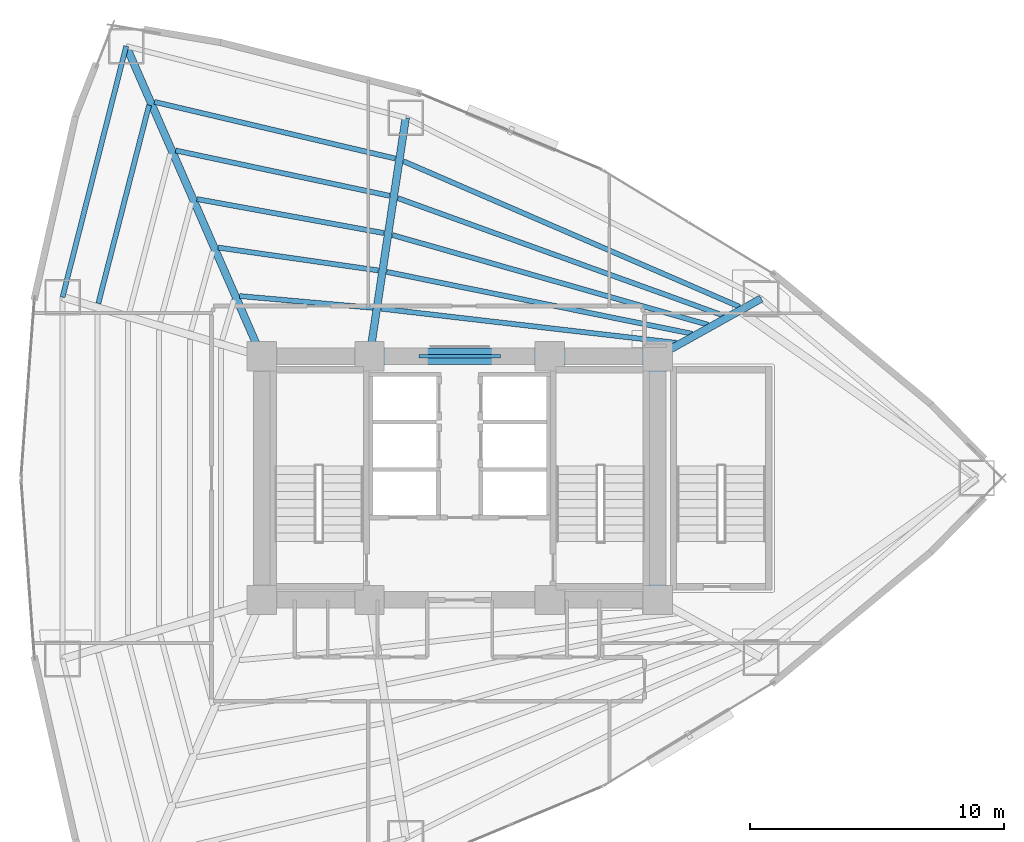
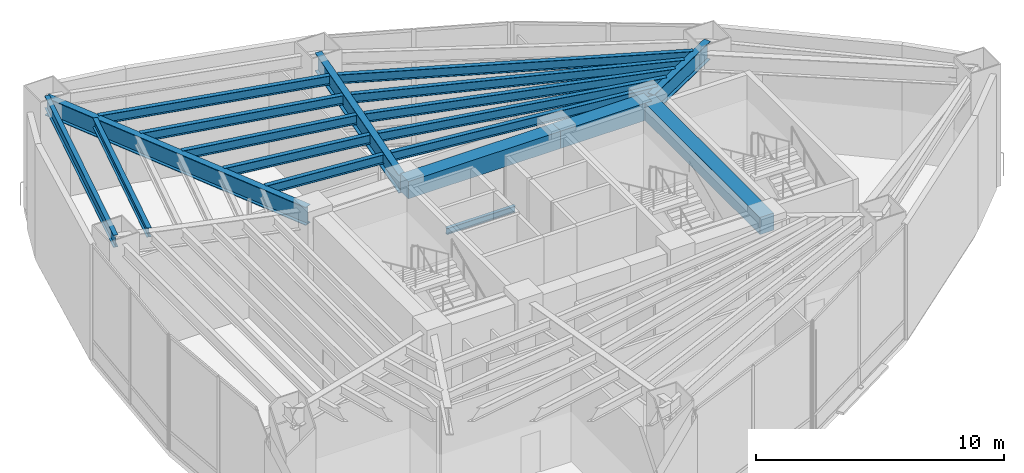
# One storey, part 9 of 19: 19 beams.
"""IFC4 building model written with IfcOpenShell, lengths in metres."""

from ifc_helpers import new_model, si_unit, direction, frame, origin, origin_2d, place, context, subcontext, project, spatial, rectangle, i_section, extrude, material, material_profile, profile_set, type_object, element, save


model = new_model("IFC4")

# Units and contexts
model_context = context("Model", 3, precision=1e-05, world=origin(), true_north=direction((0.0, 1.0)))
body_context = subcontext(model_context, "Body", "Model", "MODEL_VIEW")
ifc_project = project(units=[si_unit("LENGTHUNIT", "METRE"), si_unit("AREAUNIT", "SQUARE_METRE"), si_unit("VOLUMEUNIT", "CUBIC_METRE"), si_unit("PLANEANGLEUNIT", "RADIAN"), si_unit("MASSUNIT", "GRAM", prefix="KILO")], contexts=[model_context])

# Site, building, storey
site_placement = place(None, origin())
site = spatial("IfcSite", under=ifc_project, at=site_placement, CompositionType="ELEMENT")
building_placement = place(site_placement, origin())
building = spatial("IfcBuilding", under=site, at=building_placement, Name="Menara Vayukalpa", CompositionType="ELEMENT")
storey_placement = place(building_placement, frame((0.0, 0.0, 12.0)))
storey = spatial("IfcBuildingStorey", under=building, at=storey_placement, Name="L02", CompositionType="ELEMENT", Elevation=12.0)

# Beams
ifc_material_1 = material(Name="Concrete C60/75", Category="concrete")
ifc_material_profile_1 = material_profile(ifc_material_1, rectangle(XDim=0.64990234375, YDim=0.85009765625, at=origin_2d()), Name="RC 650x850")
ifc_profile_set_1 = profile_set([ifc_material_profile_1], Name="Concrete C60/75")
beam_type_1 = type_object("IfcBeamType", Name="BM-CB1", PredefinedType="BEAM", material=ifc_profile_set_1)
beam_1_placement = place(storey_placement, frame((22.050048828125, 26.800048828125, 5.2548828125), z_axis=(1.0, 0.0, 0.0), x_axis=(0.0, 1.0, 0.0)))
element("IfcBeam", 1, at=beam_1_placement, inside=storey, type_object=beam_type_1, Name="L02 Core Tie Beam CBR5", PredefinedType="BEAM", context=body_context, shape_type="SweptSolid", body=[
    extrude(rectangle(XDim=0.64990234375, YDim=0.85009765625, at=origin_2d()), origin(), (0.0, 0.0, 1.0), 7.099853515625),
])
beam_2_placement = place(storey_placement, frame((29.14990234375, 26.800048828125, 5.2548828125), z_axis=(1.0, 0.0, 0.0), x_axis=(0.0, 1.0, 0.0)))
element("IfcBeam", 2, at=beam_2_placement, inside=storey, type_object=beam_type_1, Name="L02 Core Tie Beam CBR6", PredefinedType="BEAM", context=body_context, shape_type="SweptSolid", body=[
    extrude(rectangle(XDim=0.64990234375, YDim=0.85009765625, at=origin_2d()), origin(), (0.0, 0.0, 1.0), 4.25),
])
beam_3_placement = place(storey_placement, frame((33.39990234375, 17.199951171875, 5.2548828125), z_axis=(0.0, 1.0, 0.0), x_axis=(-1.0, 0.0, 0.0)))
element("IfcBeam", 3, at=beam_3_placement, inside=storey, type_object=beam_type_1, Name="L02 Core Tie Beam CBR8", PredefinedType="BEAM", context=body_context, shape_type="SweptSolid", body=[
    extrude(rectangle(XDim=0.64990234375, YDim=0.85009765625, at=origin_2d()), origin(), (0.0, 0.0, 1.0), 9.60009765625),
])
ifc_material_2 = material(Name="Steel S355", Category="steel")
ifc_material_profile_2 = material_profile(ifc_material_2, i_section(OverallWidth=0.14990234375, OverallDepth=0.300048828125, WebThickness=0.006591796875, FlangeThickness=0.009033203125, at=origin_2d()), Name="WF 300x150x6.5x9")
ifc_profile_set_2 = profile_set([ifc_material_profile_2], Name="Steel S355")
beam_type_2 = type_object("IfcBeamType", Name="BM-LN1", PredefinedType="LINTEL", material=ifc_profile_set_2)
beam_4_placement = place(storey_placement, frame((24.0, 26.800048828125, 2.3798828125), z_axis=(1.0, 0.0, 0.0), x_axis=(0.0, 1.0, 0.0)))
element("IfcBeam", 4, at=beam_4_placement, inside=storey, type_object=beam_type_2, Name="L02 North Core Steel Lintel LN1", PredefinedType="LINTEL", context=body_context, shape_type="SweptSolid", body=[
    extrude(i_section(OverallWidth=0.14990234375, OverallDepth=0.300048828125, WebThickness=0.006591796875, FlangeThickness=0.009033203125, at=origin_2d()), origin(), (0.0, 0.0, 1.0), 3.199951171875),
])
ifc_material_3 = material(Name="Steel S355", Category="steel")
ifc_material_profile_3 = material_profile(ifc_material_3, i_section(OverallWidth=0.300048828125, OverallDepth=0.89990234375, WebThickness=0.01611328125, FlangeThickness=0.028076171875, at=origin_2d()), Name="WF 900x300x16x28")
ifc_profile_set_3 = profile_set([ifc_material_profile_3], Name="Steel S355")
beam_type_3 = type_object("IfcBeamType", Name="BM-PG1", PredefinedType="BEAM", material=ifc_profile_set_3)
beam_5_placement = place(storey_placement, frame((33.618408203125, 26.921630859375, 5.22998046875), z_axis=(0.873472891879, 0.486872783335, 0.0), x_axis=(-0.486872783335, 0.873472891879, 0.0)))
element("IfcBeam", 5, at=beam_5_placement, inside=storey, type_object=beam_type_3, Name="L02 Primary Radial Girder RG02", PredefinedType="BEAM", context=body_context, shape_type="SweptSolid", body=[
    extrude(i_section(OverallWidth=0.300048828125, OverallDepth=0.89990234375, WebThickness=0.01611328125, FlangeThickness=0.028076171875, at=origin_2d()), origin(), (0.0, 0.0, 1.0), 4.414306640625),
])
beam_6_placement = place(storey_placement, frame((22.08740234375, 27.047119140625, 5.22998046875), z_axis=(0.149956157605, 0.988692647285, 0.0), x_axis=(-0.988692647285, 0.149956157605, 0.0)))
element("IfcBeam", 6, at=beam_6_placement, inside=storey, type_object=beam_type_3, Name="L02 Primary Radial Girder RG03", PredefinedType="BEAM", context=body_context, shape_type="SweptSolid", body=[
    extrude(i_section(OverallWidth=0.300048828125, OverallDepth=0.89990234375, WebThickness=0.01611328125, FlangeThickness=0.028076171875, at=origin_2d()), origin(), (0.0, 0.0, 1.0), 9.25732421875),
])
beam_7_placement = place(storey_placement, frame((17.699951171875, 27.029052734375, 5.22998046875), z_axis=(-0.400426299501, 0.916328968585, 0.0), x_axis=(-0.916328968585, -0.400426299501, 0.0)))
element("IfcBeam", 7, at=beam_7_placement, inside=storey, type_object=beam_type_3, Name="L02 Primary Radial Girder RG04", PredefinedType="BEAM", context=body_context, shape_type="SweptSolid", body=[
    extrude(i_section(OverallWidth=0.300048828125, OverallDepth=0.89990234375, WebThickness=0.01611328125, FlangeThickness=0.028076171875, at=origin_2d()), origin(), (0.0, 0.0, 1.0), 13.084716796875),
])
ifc_material_4 = material(Name="Steel S355", Category="steel")
ifc_material_profile_4 = material_profile(ifc_material_4, i_section(OverallWidth=0.199951171875, OverallDepth=0.449951171875, WebThickness=0.009033203125, FlangeThickness=0.013916015625, at=origin_2d()), Name="WF 450x200x9x14")
ifc_profile_set_4 = profile_set([ifc_material_profile_4], Name="Steel S355")
beam_type_4 = type_object("IfcBeamType", Name="BM-SJ1", PredefinedType="JOIST", material=ifc_profile_set_4)
beam_8_placement = place(storey_placement, frame((34.1435546875, 27.328125, 5.455078125), z_axis=(-0.993368624996, 0.114972931045, 0.0), x_axis=(-0.114972931045, -0.993368624996, 0.0)))
element("IfcBeam", 8, at=beam_8_placement, inside=storey, type_object=beam_type_4, Name="L02 Secondary Floor Joist SJ02-1", PredefinedType="JOIST", context=body_context, shape_type="SweptSolid", body=[
    extrude(i_section(OverallWidth=0.199951171875, OverallDepth=0.449951171875, WebThickness=0.009033203125, FlangeThickness=0.013916015625, at=origin_2d()), origin(), (0.0, 0.0, 1.0), 11.715087890625),
])
beam_9_placement = place(storey_placement, frame((34.7626953125, 27.686279296875, 5.455078125), z_axis=(-0.980082096832, 0.198592757847, 0.0), x_axis=(-0.198592757847, -0.980082096832, 0.0)))
element("IfcBeam", 9, at=beam_9_placement, inside=storey, type_object=beam_type_4, Name="L02 Secondary Floor Joist SJ02-2", PredefinedType="JOIST", context=body_context, shape_type="SweptSolid", body=[
    extrude(i_section(OverallWidth=0.199951171875, OverallDepth=0.449951171875, WebThickness=0.009033203125, FlangeThickness=0.013916015625, at=origin_2d()), origin(), (0.0, 0.0, 1.0), 12.28125),
])
beam_10_placement = place(storey_placement, frame((35.3828125, 28.042724609375, 5.455078125), z_axis=(-0.961920522013, 0.273329305656, 0.0), x_axis=(-0.273329305656, -0.961920522013, 0.0)))
element("IfcBeam", 10, at=beam_10_placement, inside=storey, type_object=beam_type_4, Name="L02 Secondary Floor Joist SJ02-3", PredefinedType="JOIST", context=body_context, shape_type="SweptSolid", body=[
    extrude(i_section(OverallWidth=0.199951171875, OverallDepth=0.449951171875, WebThickness=0.009033203125, FlangeThickness=0.013916015625, at=origin_2d()), origin(), (0.0, 0.0, 1.0), 12.93017578125),
])
beam_11_placement = place(storey_placement, frame((36.003173828125, 28.39794921875, 5.455078125), z_axis=(-0.94065210614, 0.339372384284, 0.0), x_axis=(-0.339372384284, -0.94065210614, 0.0)))
element("IfcBeam", 11, at=beam_11_placement, inside=storey, type_object=beam_type_4, Name="L02 Secondary Floor Joist SJ02-4", PredefinedType="JOIST", context=body_context, shape_type="SweptSolid", body=[
    extrude(i_section(OverallWidth=0.199951171875, OverallDepth=0.449951171875, WebThickness=0.009033203125, FlangeThickness=0.013916015625, at=origin_2d()), origin(), (0.0, 0.0, 1.0), 13.649658203125),
])
beam_12_placement = place(storey_placement, frame((36.6240234375, 28.751708984375, 5.455078125), z_axis=(-0.91768786967, 0.397302119125, 0.0), x_axis=(-0.397302119125, -0.91768786967, 0.0)))
element("IfcBeam", 12, at=beam_12_placement, inside=storey, type_object=beam_type_4, Name="L02 Secondary Floor Joist SJ02-5", PredefinedType="JOIST", context=body_context, shape_type="SweptSolid", body=[
    extrude(i_section(OverallWidth=0.199951171875, OverallDepth=0.449951171875, WebThickness=0.009033203125, FlangeThickness=0.013916015625, at=origin_2d()), origin(), (0.0, 0.0, 1.0), 14.43017578125),
])
beam_13_placement = place(storey_placement, frame((22.16796875, 28.709716796875, 5.455078125), z_axis=(-0.996127818773, 0.08791682812, 0.0), x_axis=(-0.08791682812, -0.996127818773, 0.0)))
element("IfcBeam", 13, at=beam_13_placement, inside=storey, type_object=beam_type_4, Name="L02 Secondary Floor Joist SJ03-1", PredefinedType="JOIST", context=body_context, shape_type="SweptSolid", body=[
    extrude(i_section(OverallWidth=0.199951171875, OverallDepth=0.449951171875, WebThickness=0.009033203125, FlangeThickness=0.013916015625, at=origin_2d()), origin(), (0.0, 0.0, 1.0), 5.26220703125),
])
beam_14_placement = place(storey_placement, frame((22.39111328125, 30.18310546875, 5.455078125), z_axis=(-0.989991622628, 0.141126139063, 0.0), x_axis=(-0.141126139063, -0.989991622628, 0.0)))
element("IfcBeam", 14, at=beam_14_placement, inside=storey, type_object=beam_type_4, Name="L02 Secondary Floor Joist SJ03-2", PredefinedType="JOIST", context=body_context, shape_type="SweptSolid", body=[
    extrude(i_section(OverallWidth=0.199951171875, OverallDepth=0.449951171875, WebThickness=0.009033203125, FlangeThickness=0.013916015625, at=origin_2d()), origin(), (0.0, 0.0, 1.0), 6.367919921875),
])
beam_15_placement = place(storey_placement, frame((22.6142578125, 31.65380859375, 5.455078125), z_axis=(-0.98386051846, 0.178937084517, 0.0), x_axis=(-0.178937084517, -0.98386051846, 0.0)))
element("IfcBeam", 15, at=beam_15_placement, inside=storey, type_object=beam_type_4, Name="L02 Secondary Floor Joist SJ03-3", PredefinedType="JOIST", context=body_context, shape_type="SweptSolid", body=[
    extrude(i_section(OverallWidth=0.199951171875, OverallDepth=0.449951171875, WebThickness=0.009033203125, FlangeThickness=0.013916015625, at=origin_2d()), origin(), (0.0, 0.0, 1.0), 7.48779296875),
])
beam_16_placement = place(storey_placement, frame((22.83740234375, 33.123046875, 5.455078125), z_axis=(-0.978324318859, 0.207078553039, 0.0), x_axis=(-0.207078553039, -0.978324318859, 0.0)))
element("IfcBeam", 16, at=beam_16_placement, inside=storey, type_object=beam_type_4, Name="L02 Secondary Floor Joist SJ03-4", PredefinedType="JOIST", context=body_context, shape_type="SweptSolid", body=[
    extrude(i_section(OverallWidth=0.199951171875, OverallDepth=0.449951171875, WebThickness=0.009033203125, FlangeThickness=0.013916015625, at=origin_2d()), origin(), (0.0, 0.0, 1.0), 8.615966796875),
])
beam_17_placement = place(storey_placement, frame((23.060302734375, 34.59130859375, 5.455078125), z_axis=(-0.973474607698, 0.228795078983, 0.0), x_axis=(-0.228795078983, -0.973474607698, 0.0)))
element("IfcBeam", 17, at=beam_17_placement, inside=storey, type_object=beam_type_4, Name="L02 Secondary Floor Joist SJ03-5", PredefinedType="JOIST", context=body_context, shape_type="SweptSolid", body=[
    extrude(i_section(OverallWidth=0.199951171875, OverallDepth=0.449951171875, WebThickness=0.009033203125, FlangeThickness=0.013916015625, at=origin_2d()), origin(), (0.0, 0.0, 1.0), 9.749755859375),
])
beam_18_placement = place(storey_placement, frame((13.361328125, 36.696044921875, 5.455078125), z_axis=(-0.247855728428, -0.9687969539, 0.0), x_axis=(0.9687969539, -0.247855728428, 0.0)))
element("IfcBeam", 18, at=beam_18_placement, inside=storey, type_object=beam_type_4, Name="L02 Secondary Floor Joist SJ04-5", PredefinedType="JOIST", context=body_context, shape_type="SweptSolid", body=[
    extrude(i_section(OverallWidth=0.199951171875, OverallDepth=0.449951171875, WebThickness=0.009033203125, FlangeThickness=0.013916015625, at=origin_2d()), origin(), (0.0, 0.0, 1.0), 8.060302734375),
])
ifc_material_5 = material(Name="Steel S355", Category="steel")
ifc_material_profile_5 = material_profile(ifc_material_5, i_section(OverallWidth=0.199951171875, OverallDepth=0.60009765625, WebThickness=0.010986328125, FlangeThickness=0.01708984375, at=origin_2d()), Name="WF 600x200x11x17")
ifc_profile_set_5 = profile_set([ifc_material_profile_5], Name="Steel S355")
beam_type_5 = type_object("IfcBeamType", Name="BM-SP1", PredefinedType="SPANDREL", material=ifc_profile_set_5)
beam_19_placement = place(storey_placement, frame((12.46044921875, 39.01904296875, 5.3798828125), z_axis=(-0.24585591488, -0.969306385576, 0.0), x_axis=(0.969306385576, -0.24585591488, 0.0)))
element("IfcBeam", 19, at=beam_19_placement, inside=storey, type_object=beam_type_5, Name="L02 Perimeter Spandrel Beam SP04", PredefinedType="SPANDREL", context=body_context, shape_type="SweptSolid", body=[
    extrude(i_section(OverallWidth=0.199951171875, OverallDepth=0.60009765625, WebThickness=0.010986328125, FlangeThickness=0.01708984375, at=origin_2d()), origin(), (0.0, 0.0, 1.0), 10.203369140625),
])

save(model, "model.ifc")
